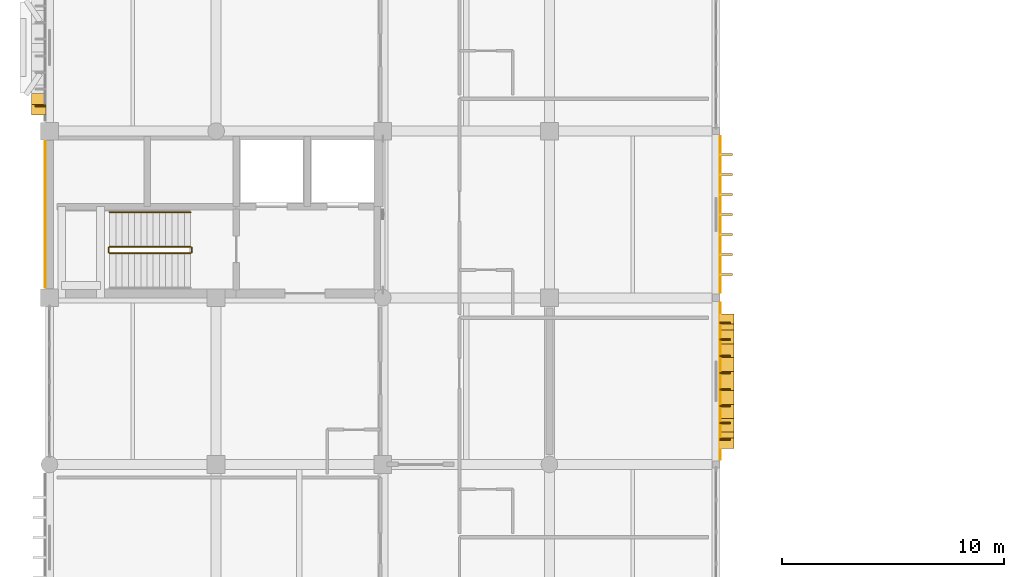
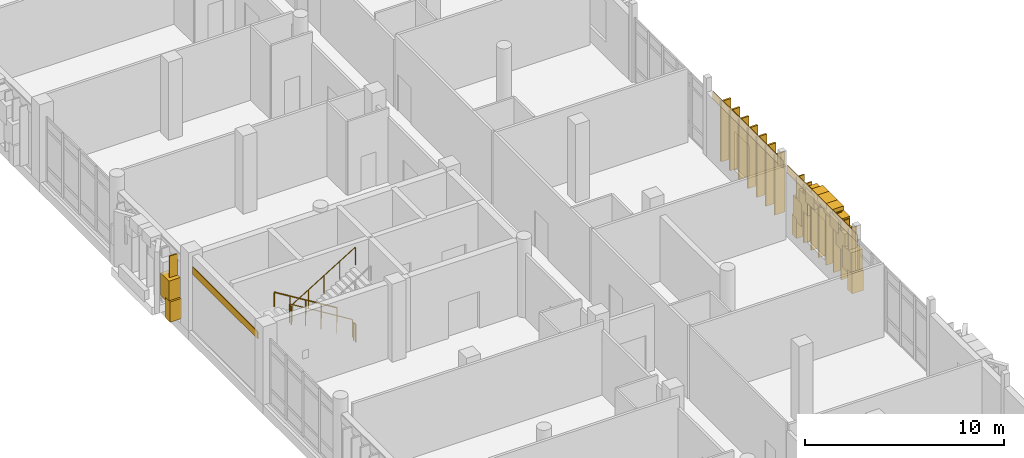
# One storey, part 115 of 131: 23 coverings, 9 shading devices, 5 railings.
"""IFC4 building model written with IfcOpenShell, lengths in metres."""

from ifc_helpers import new_model, si_unit, direction, frame, origin, origin_2d, place, context, subcontext, project, spatial, rectangle, circle, extrude, material, layer, layer_set, type_object, element, save


model = new_model("IFC4")

# Units and contexts
model_context = context("Model", 3, precision=1e-05, world=origin(), true_north=direction((0.0, 1.0)))
body_context = subcontext(model_context, "Body", "Model", "MODEL_VIEW")
ifc_project = project(units=[si_unit("LENGTHUNIT", "METRE"), si_unit("AREAUNIT", "SQUARE_METRE"), si_unit("VOLUMEUNIT", "CUBIC_METRE"), si_unit("PLANEANGLEUNIT", "RADIAN"), si_unit("MASSUNIT", "GRAM", prefix="KILO")], contexts=[model_context])

# Site, building, storey
site_placement = place(None, origin())
site = spatial("IfcSite", under=ifc_project, at=site_placement, CompositionType="ELEMENT")
building_placement = place(site_placement, origin())
building = spatial("IfcBuilding", under=site, at=building_placement, Name="Dalvernix Boulevard General Hospital", CompositionType="ELEMENT")
storey_placement = place(building_placement, frame((0.0, 0.0, 9.300048828125)))
storey = spatial("IfcBuildingStorey", under=building, at=storey_placement, Name="L02", CompositionType="ELEMENT", Elevation=9.300048828125)

# Coverings
ifc_material_1 = material(Name="Pressed Catalan clay brick and dressed limestone parabolic archivolt", Category="masonry")
ifc_layer_1 = layer(ifc_material_1, 0.419921875)
ifc_layer_set_1 = layer_set([ifc_layer_1], Name="Pressed Catalan clay brick and dressed limestone parabolic archivolt (COV-ARC-01)")
covering_type_1 = type_object("IfcCoveringType", Name="COV-ARC-01", PredefinedType="CLADDING", material=ifc_layer_set_1)
covering_1_placement = place(storey_placement, frame((-0.485107421875, 62.46240234375, 0.0), z_axis=(0.0, 0.0, 1.0), x_axis=(0.0, 1.0, 0.0)))
element("IfcCovering", 1, at=covering_1_placement, inside=storey, type_object=covering_type_1, Name="L02 Catalan parabolic arch impost pier W 0-8-L", PredefinedType="CLADDING", context=body_context, shape_type="SweptSolid", body=[
    extrude(rectangle(XDim=0.4599609375, YDim=0.659912109375, at=origin_2d()), origin(), (0.0, 0.0, 1.0), 1.25),
])
covering_2_placement = place(storey_placement, frame((-0.485107421875, 62.773681640625, 1.059814453125), z_axis=(0.0, 0.0, 1.0), x_axis=(0.0, 1.0, 0.0)))
element("IfcCovering", 2, at=covering_2_placement, inside=storey, type_object=covering_type_1, Name="L02 Catalan parabolic archivolt voussoir W 0-8-1", PredefinedType="CLADDING", context=body_context, shape_type="SweptSolid", body=[
    extrude(rectangle(XDim=0.8623046875, YDim=0.659912109375, at=origin_2d()), origin(), (0.0, 0.0, 1.0), 1.3994140625),
])
for number, where, z_axis, x_axis, name in (
    (3, (30.485107421875, 53.050048828125, 0.0), (0.0, 0.0, 1.0), (0.0, -1.0, 0.0), "L02 Catalan parabolic arch impost pier E 4-6-L"),
    (4, (30.485107421875, 47.449951171875, 0.0), (0.0, 0.0, 1.0), (0.0, -1.0, 0.0), "L02 Catalan parabolic arch impost pier E 4-6-R"),
):
    element("IfcCovering", number, at=place(storey_placement, frame(where, z_axis=z_axis, x_axis=x_axis)), inside=storey, type_object=covering_type_1, Name=name, PredefinedType="CLADDING", context=body_context, shape_type="SweptSolid", body=[
        extrude(rectangle(XDim=0.4599609375, YDim=0.659912109375, at=origin_2d()), origin(), (0.0, 0.0, 1.0), 1.25),
    ])
covering_3_placement = place(storey_placement, frame((30.485107421875, 52.739013671875, 1.059814453125), z_axis=(0.0, 0.0, 1.0), x_axis=(0.0, -1.0, 0.0)))
element("IfcCovering", 5, at=covering_3_placement, inside=storey, type_object=covering_type_1, Name="L02 Catalan parabolic archivolt voussoir E 4-6-1", PredefinedType="CLADDING", context=body_context, shape_type="SweptSolid", body=[
    extrude(rectangle(XDim=0.8623046875, YDim=0.659912109375, at=origin_2d()), origin(), (0.0, 0.0, 1.0), 1.3994140625),
])
covering_4_placement = place(storey_placement, frame((30.485107421875, 52.11669921875, 2.0791015625), z_axis=(0.0, 0.0, 1.0), x_axis=(0.0, -1.0, 0.0)))
element("IfcCovering", 6, at=covering_4_placement, inside=storey, type_object=covering_type_1, Name="L02 Catalan parabolic archivolt voussoir E 4-6-2", PredefinedType="CLADDING", context=body_context, shape_type="SweptSolid", body=[
    extrude(rectangle(XDim=0.8623046875, YDim=0.659912109375, at=origin_2d()), origin(), (0.0, 0.0, 1.0), 1.144287109375),
])
covering_5_placement = place(storey_placement, frame((30.485107421875, 51.494384765625, 2.843505859375), z_axis=(0.0, 0.0, 1.0), x_axis=(0.0, -1.0, 0.0)))
element("IfcCovering", 7, at=covering_5_placement, inside=storey, type_object=covering_type_1, Name="L02 Catalan parabolic archivolt voussoir E 4-6-3", PredefinedType="CLADDING", context=body_context, shape_type="SweptSolid", body=[
    extrude(rectangle(XDim=0.8623046875, YDim=0.659912109375, at=origin_2d()), origin(), (0.0, 0.0, 1.0), 0.8896484375),
])
covering_6_placement = place(storey_placement, frame((30.485107421875, 50.872314453125, 3.353271484375), z_axis=(0.0, 0.0, 1.0), x_axis=(0.0, -1.0, 0.0)))
element("IfcCovering", 8, at=covering_6_placement, inside=storey, type_object=covering_type_1, Name="L02 Catalan parabolic archivolt voussoir E 4-6-4", PredefinedType="CLADDING", context=body_context, shape_type="SweptSolid", body=[
    extrude(rectangle(XDim=0.8623046875, YDim=0.659912109375, at=origin_2d()), origin(), (0.0, 0.0, 1.0), 0.634765625),
])
covering_7_placement = place(storey_placement, frame((30.485107421875, 50.25, 3.608154296875), z_axis=(0.0, 0.0, 1.0), x_axis=(0.0, -1.0, 0.0)))
element("IfcCovering", 9, at=covering_7_placement, inside=storey, type_object=covering_type_1, Name="L02 Catalan parabolic archivolt voussoir E 4-6-5", PredefinedType="CLADDING", context=body_context, shape_type="SweptSolid", body=[
    extrude(rectangle(XDim=0.8623046875, YDim=0.659912109375, at=origin_2d()), origin(), (0.0, 0.0, 1.0), 0.3798828125),
])
covering_8_placement = place(storey_placement, frame((30.485107421875, 49.627685546875, 3.353271484375), z_axis=(0.0, 0.0, 1.0), x_axis=(0.0, -1.0, 0.0)))
element("IfcCovering", 10, at=covering_8_placement, inside=storey, type_object=covering_type_1, Name="L02 Catalan parabolic archivolt voussoir E 4-6-6", PredefinedType="CLADDING", context=body_context, shape_type="SweptSolid", body=[
    extrude(rectangle(XDim=0.8623046875, YDim=0.659912109375, at=origin_2d()), origin(), (0.0, 0.0, 1.0), 0.634765625),
])
covering_9_placement = place(storey_placement, frame((30.485107421875, 49.005615234375, 2.843505859375), z_axis=(0.0, 0.0, 1.0), x_axis=(0.0, -1.0, 0.0)))
element("IfcCovering", 11, at=covering_9_placement, inside=storey, type_object=covering_type_1, Name="L02 Catalan parabolic archivolt voussoir E 4-6-7", PredefinedType="CLADDING", context=body_context, shape_type="SweptSolid", body=[
    extrude(rectangle(XDim=0.8623046875, YDim=0.659912109375, at=origin_2d()), origin(), (0.0, 0.0, 1.0), 0.8896484375),
])
covering_10_placement = place(storey_placement, frame((30.485107421875, 48.38330078125, 2.0791015625), z_axis=(0.0, 0.0, 1.0), x_axis=(0.0, -1.0, 0.0)))
element("IfcCovering", 12, at=covering_10_placement, inside=storey, type_object=covering_type_1, Name="L02 Catalan parabolic archivolt voussoir E 4-6-8", PredefinedType="CLADDING", context=body_context, shape_type="SweptSolid", body=[
    extrude(rectangle(XDim=0.8623046875, YDim=0.659912109375, at=origin_2d()), origin(), (0.0, 0.0, 1.0), 1.144287109375),
])
covering_11_placement = place(storey_placement, frame((30.485107421875, 47.760986328125, 1.059814453125), z_axis=(0.0, 0.0, 1.0), x_axis=(0.0, -1.0, 0.0)))
element("IfcCovering", 13, at=covering_11_placement, inside=storey, type_object=covering_type_1, Name="L02 Catalan parabolic archivolt voussoir E 4-6-9", PredefinedType="CLADDING", context=body_context, shape_type="SweptSolid", body=[
    extrude(rectangle(XDim=0.8623046875, YDim=0.659912109375, at=origin_2d()), origin(), (0.0, 0.0, 1.0), 1.3994140625),
])
ifc_material_2 = material(Name="Polychrome Catalan glazed ceramic spandrel tile panel")
ifc_layer_2 = layer(ifc_material_2, 0.044921875)
ifc_layer_set_2 = layer_set([ifc_layer_2], Name="Polychrome Catalan glazed ceramic spandrel tile panel (COV-CLD-01)")
covering_type_2 = type_object("IfcCoveringType", Name="COV-CLD-01", PredefinedType="CLADDING", material=ifc_layer_set_2)
covering_12_placement = place(storey_placement, frame((-0.195068359375, 57.75, 3.47509765625), z_axis=(0.0, 0.0, 1.0), x_axis=(0.0, 1.0, 0.0)))
element("IfcCovering", 14, at=covering_12_placement, inside=storey, type_object=covering_type_2, Name="L02 polychrome ceramic spandrel W 0-7", PredefinedType="CLADDING", context=body_context, shape_type="SweptSolid", body=[
    extrude(rectangle(XDim=6.580078125, YDim=0.044921875, at=origin_2d()), origin(), (0.0, 0.0, 1.0), 0.449951171875),
])
for number, where, z_axis, x_axis, name in (
    (15, (30.195068359375, 50.25, 3.47509765625), (0.0, 0.0, 1.0), (0.0, -1.0, 0.0), "L02 polychrome ceramic spandrel E 4-6"),
    (16, (30.195068359375, 57.75, 3.47509765625), (0.0, 0.0, 1.0), (0.0, -1.0, 0.0), "L02 polychrome ceramic spandrel E 4-7"),
):
    element("IfcCovering", number, at=place(storey_placement, frame(where, z_axis=z_axis, x_axis=x_axis)), inside=storey, type_object=covering_type_2, Name=name, PredefinedType="CLADDING", context=body_context, shape_type="SweptSolid", body=[
        extrude(rectangle(XDim=7.06005859375, YDim=0.044921875, at=origin_2d()), origin(), (0.0, 0.0, 1.0), 0.449951171875),
    ])
ifc_material_3 = material(Name="Terracotta-clad iroko timber brise-soleil sun-breaker fin", Category="masonry")
ifc_layer_3 = layer(ifc_material_3, 0.10009765625)
ifc_layer_set_3 = layer_set([ifc_layer_3], Name="Terracotta-clad iroko timber brise-soleil sun-breaker fin (COV-FIN-02)")
covering_type_3 = type_object("IfcCoveringType", Name="COV-FIN-02", PredefinedType="CLADDING", material=ifc_layer_set_3)
for number, where, z_axis, x_axis, name in (
    (17, (30.445068359375, 60.449951171875, 0.119873046875), (0.0, 0.0, 1.0), (0.0, -1.0, 0.0), "L02 terracotta brise-soleil fin E 4-7-1"),
    (18, (30.445068359375, 59.550048828125, 0.119873046875), (0.0, 0.0, 1.0), (0.0, -1.0, 0.0), "L02 terracotta brise-soleil fin E 4-7-2"),
    (19, (30.445068359375, 58.64990234375, 0.119873046875), (0.0, 0.0, 1.0), (0.0, -1.0, 0.0), "L02 terracotta brise-soleil fin E 4-7-3"),
    (20, (30.445068359375, 57.75, 0.119873046875), (0.0, 0.0, 1.0), (0.0, -1.0, 0.0), "L02 terracotta brise-soleil fin E 4-7-4"),
    (21, (30.445068359375, 56.85009765625, 0.119873046875), (0.0, 0.0, 1.0), (0.0, -1.0, 0.0), "L02 terracotta brise-soleil fin E 4-7-5"),
    (22, (30.445068359375, 55.949951171875, 0.119873046875), (0.0, 0.0, 1.0), (0.0, -1.0, 0.0), "L02 terracotta brise-soleil fin E 4-7-6"),
    (23, (30.445068359375, 55.050048828125, 0.119873046875), (0.0, 0.0, 1.0), (0.0, -1.0, 0.0), "L02 terracotta brise-soleil fin E 4-7-7"),
):
    element("IfcCovering", number, at=place(storey_placement, frame(where, z_axis=z_axis, x_axis=x_axis)), inside=storey, type_object=covering_type_3, Name=name, PredefinedType="CLADDING", context=body_context, shape_type="SweptSolid", body=[
        extrude(rectangle(XDim=0.10009765625, YDim=0.580078125, at=origin_2d()), origin(), (0.0, 0.0, 1.0), 3.7099609375),
    ])

# Railings
ifc_material_4 = material(Name="Brushed stainless steel balustrade", Category="steel")
railing_type_1 = type_object("IfcRailingType", Name="RL-GR-INT1", PredefinedType="BALUSTRADE", material=ifc_material_4)
railing_1_placement = place(storey_placement, frame((6.35009765625, 56.300048828125, 0.17138671875)))
element("IfcRailing", 24, at=railing_1_placement, inside=storey, type_object=railing_type_1, Name="L02 ST-02 stair guard 1", PredefinedType="BALUSTRADE", context=body_context, shape_type="SweptSolid", body=[
    extrude(circle(Radius=0.02392578125, at=origin_2d()), frame((0.0, 0.0, 1.09619140625), z_axis=(-0.852865859571, 0.0, 0.52213008492), x_axis=(0.0, -1.0, 0.0)), (0.0, 0.0, 1.0), 4.26806640625),
    extrude(circle(Radius=0.02099609375, at=origin_2d()), origin(), (0.0, 0.0, 1.0), 1.072021484375),
    extrude(circle(Radius=0.02099609375, at=origin_2d()), frame((-0.91015625, 0.0, 0.55712890625)), (0.0, 0.0, 1.0), 1.072021484375),
    extrude(circle(Radius=0.02099609375, at=origin_2d()), frame((-1.820068359375, 0.0, 1.1142578125)), (0.0, 0.0, 1.0), 1.072021484375),
    extrude(circle(Radius=0.02099609375, at=origin_2d()), frame((-2.72998046875, 0.0, 1.67138671875)), (0.0, 0.0, 1.0), 1.072021484375),
    extrude(circle(Radius=0.02099609375, at=origin_2d()), frame((-3.64013671875, 0.0, 2.228515625)), (0.0, 0.0, 1.0), 1.072021484375),
])
railing_2_placement = place(storey_placement, frame((2.659912109375, 56.25, 2.39990234375)))
element("IfcRailing", 25, at=railing_2_placement, inside=storey, type_object=railing_type_1, Name="L02 ST-02 stair guard 2", PredefinedType="BALUSTRADE", context=body_context, shape_type="SweptSolid", body=[
    extrude(circle(Radius=0.02392578125, at=origin_2d()), frame((0.0, 0.0, 1.09619140625), z_axis=(0.0, -1.0, 0.0), x_axis=(1.0, 0.0, 0.0)), (0.0, 0.0, 1.0), 0.199951171875),
    extrude(circle(Radius=0.02099609375, at=origin_2d()), origin(), (0.0, 0.0, 1.0), 1.072021484375),
    extrude(circle(Radius=0.02099609375, at=origin_2d()), frame((0.0, -0.199951171875, 0.0)), (0.0, 0.0, 1.0), 1.072021484375),
])
railing_3_placement = place(storey_placement, frame((2.7099609375, 56.0, 2.5712890625)))
element("IfcRailing", 26, at=railing_3_placement, inside=storey, type_object=railing_type_1, Name="L02 ST-02 stair guard 3", PredefinedType="BALUSTRADE", context=body_context, shape_type="SweptSolid", body=[
    extrude(circle(Radius=0.02392578125, at=origin_2d()), frame((0.0, 0.0, 1.09619140625), z_axis=(0.852840387347, 0.0, 0.522171689878), x_axis=(0.0, 1.0, 0.0)), (0.0, 0.0, 1.0), 4.268310546875),
    extrude(circle(Radius=0.02099609375, at=origin_2d()), origin(), (0.0, 0.0, 1.0), 1.072021484375),
    extrude(circle(Radius=0.02099609375, at=origin_2d()), frame((0.91015625, 0.0, 0.55712890625)), (0.0, 0.0, 1.0), 1.072021484375),
    extrude(circle(Radius=0.02099609375, at=origin_2d()), frame((1.820068359375, 0.0, 1.1142578125)), (0.0, 0.0, 1.0), 1.072021484375),
    extrude(circle(Radius=0.02099609375, at=origin_2d()), frame((2.72998046875, 0.0, 1.671630859375)), (0.0, 0.0, 1.0), 1.072021484375),
    extrude(circle(Radius=0.02099609375, at=origin_2d()), frame((3.64013671875, 0.0, 2.228759765625)), (0.0, 0.0, 1.0), 1.072021484375),
])
railing_4_placement = place(storey_placement, frame((6.39990234375, 56.25, 0.0)))
element("IfcRailing", 27, at=railing_4_placement, inside=storey, type_object=railing_type_1, Name="L02 ST-02 stair guard 4", PredefinedType="BALUSTRADE", context=body_context, shape_type="SweptSolid", body=[
    extrude(circle(Radius=0.02392578125, at=origin_2d()), frame((0.0, 0.0, 1.09619140625), z_axis=(0.0, -1.0, 0.0), x_axis=(1.0, 0.0, 0.0)), (0.0, 0.0, 1.0), 0.199951171875),
    extrude(circle(Radius=0.02099609375, at=origin_2d()), origin(), (0.0, 0.0, 1.0), 1.072021484375),
    extrude(circle(Radius=0.02099609375, at=origin_2d()), frame((0.0, -0.199951171875, 0.0)), (0.0, 0.0, 1.0), 1.072021484375),
])
ifc_material_5 = material(Name="Brushed stainless steel wall handrail", Category="steel")
railing_type_2 = type_object("IfcRailingType", Name="RL-HR-INT1", PredefinedType="HANDRAIL", material=ifc_material_5)
railing_5_placement = place(storey_placement, frame((6.35009765625, 57.85009765625, 0.17138671875)))
element("IfcRailing", 28, at=railing_5_placement, inside=storey, type_object=railing_type_2, Name="L02 ST-02 stair handrail 1", PredefinedType="HANDRAIL", context=body_context, shape_type="SweptSolid", body=[
    extrude(circle(Radius=0.02392578125, at=origin_2d()), frame((0.0, 0.0, 0.8759765625), z_axis=(-0.852865859571, 0.0, 0.52213008492), x_axis=(0.0, -1.0, 0.0)), (0.0, 0.0, 1.0), 4.26806640625),
    extrude(circle(Radius=0.02099609375, at=origin_2d()), origin(), (0.0, 0.0, 1.0), 0.851806640625),
    extrude(circle(Radius=0.02099609375, at=origin_2d()), frame((-0.91015625, 0.0, 0.55712890625)), (0.0, 0.0, 1.0), 0.851806640625),
    extrude(circle(Radius=0.02099609375, at=origin_2d()), frame((-1.820068359375, 0.0, 1.1142578125)), (0.0, 0.0, 1.0), 0.851806640625),
    extrude(circle(Radius=0.02099609375, at=origin_2d()), frame((-2.72998046875, 0.0, 1.67138671875)), (0.0, 0.0, 1.0), 0.851806640625),
    extrude(circle(Radius=0.02099609375, at=origin_2d()), frame((-3.64013671875, 0.0, 2.228515625)), (0.0, 0.0, 1.0), 0.851806640625),
])

# Shading devices
ifc_material_6 = material(Name="Preservative-treated West African iroko timber", Category="wood")
shading_device_type = type_object("IfcShadingDeviceType", Name="SHD-FIN-01", PredefinedType="USERDEFINED", material=ifc_material_6)
for number, where, z_axis, x_axis, name in (
    (29, (-0.405029296875, 62.637451171875, 0.1748046875), (0.0, 0.0, 1.0), (0.0, 1.0, 0.0), "L02 iroko brise-soleil fin 1"),
    (30, (30.405029296875, 52.875, 0.1748046875), (0.0, 0.0, 1.0), (0.0, -1.0, 0.0), "L02 iroko brise-soleil fin 1"),
    (31, (30.405029296875, 52.125, 0.1748046875), (0.0, 0.0, 1.0), (0.0, -1.0, 0.0), "L02 iroko brise-soleil fin 2"),
    (32, (30.405029296875, 51.375, 0.1748046875), (0.0, 0.0, 1.0), (0.0, -1.0, 0.0), "L02 iroko brise-soleil fin 3"),
    (33, (30.405029296875, 50.625, 0.1748046875), (0.0, 0.0, 1.0), (0.0, -1.0, 0.0), "L02 iroko brise-soleil fin 4"),
    (34, (30.405029296875, 49.875, 0.1748046875), (0.0, 0.0, 1.0), (0.0, -1.0, 0.0), "L02 iroko brise-soleil fin 5"),
    (35, (30.405029296875, 49.125, 0.1748046875), (0.0, 0.0, 1.0), (0.0, -1.0, 0.0), "L02 iroko brise-soleil fin 6"),
    (36, (30.405029296875, 48.375, 0.1748046875), (0.0, 0.0, 1.0), (0.0, -1.0, 0.0), "L02 iroko brise-soleil fin 7"),
    (37, (30.405029296875, 47.625, 0.1748046875), (0.0, 0.0, 1.0), (0.0, -1.0, 0.0), "L02 iroko brise-soleil fin 8"),
):
    element("IfcShadingDevice", number, at=place(storey_placement, frame(where, z_axis=z_axis, x_axis=x_axis)), inside=storey, type_object=shading_device_type, Name=name, ObjectType="FIN", PredefinedType="USERDEFINED", context=body_context, shape_type="SweptSolid", body=[
        extrude(rectangle(XDim=0.06494140625, YDim=0.47998046875, at=origin_2d()), origin(), (0.0, 0.0, 1.0), 3.60009765625),
    ])

save(model, "model.ifc")
